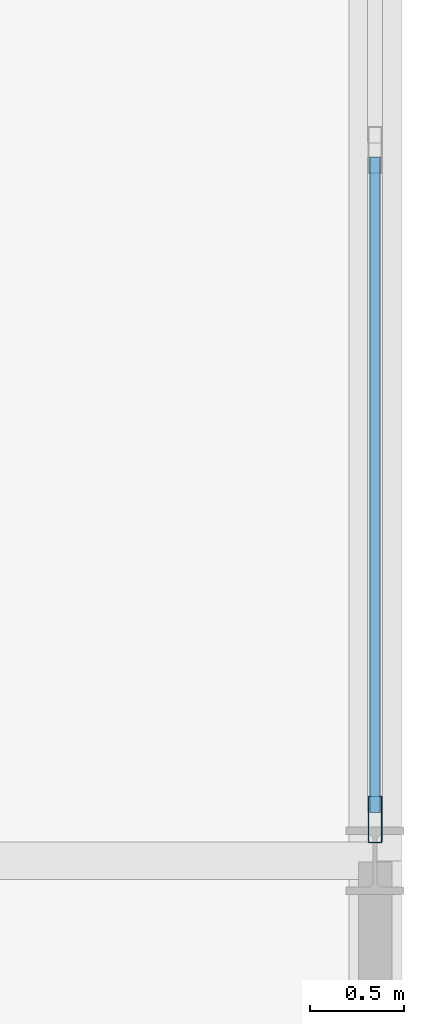
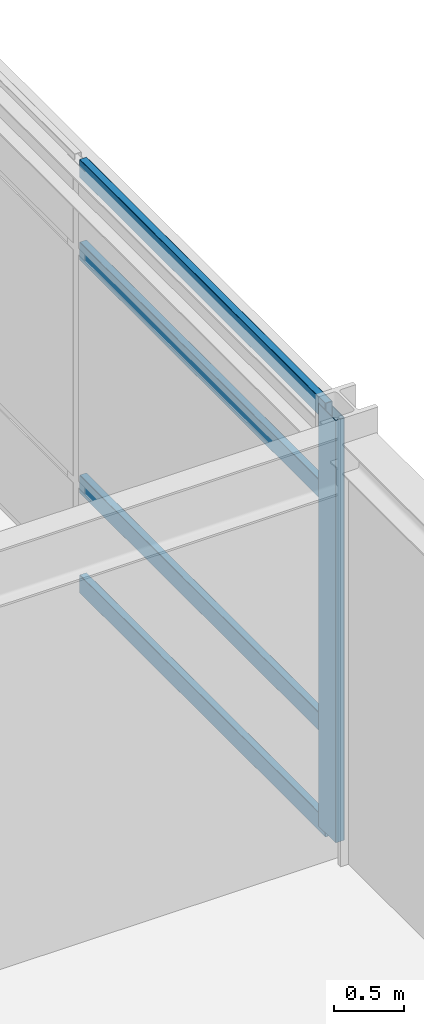
# One storey, part 7 of 16: 5 members, 1 element without a shape of its own.
"""IFC4 building model written with IfcOpenShell, lengths in metres."""

import ifcopenshell
import ifcopenshell.guid

model = None  # the IFC model being written
_history = None  # IfcOwnerHistory: only IFC2X3 demands one
_inside = {}  # id of a spatial element -> (the spatial element, [elements in it])
_under = {}  # id of a project, library or spatial element -> (it, [spatial elements below it])
_declared = {}  # id of a project -> (the project, [libraries it declares])
_typed = {}  # id of a type object -> (the type object, [elements of that type])
_made_of = {}  # id of a material, layer set ... -> (it, [elements and type objects made of it])


def new_model(schema):
    """Start an empty IFC model of exactly this schema.

    Asked for "IFC4X3", IfcOpenShell would pick the latest addendum, in which some entities
    have other attributes; the version numbers below select the first issue.
    IFC2X3 requires an IfcOwnerHistory on every rooted entity: one is made here for all.
    """
    global model, _history
    if schema == "IFC4X3":
        model = ifcopenshell.file(schema_version=(4, 3, 0, 0))
    else:
        model = ifcopenshell.file(schema=schema)
    _inside.clear()
    _under.clear()
    _declared.clear()
    _typed.clear()
    _made_of.clear()
    _history = None
    if model.schema == "IFC2X3":
        org = make("IfcOrganization", Name="unknown")
        user = make(
            "IfcPersonAndOrganization",
            ThePerson=make("IfcPerson", FamilyName="unknown"),
            TheOrganization=org,
        )
        app = make(
            "IfcApplication",
            ApplicationDeveloper=org,
            Version="unknown",
            ApplicationFullName="unknown",
            ApplicationIdentifier="unknown",
        )
        _history = make(
            "IfcOwnerHistory",
            OwningUser=user,
            OwningApplication=app,
            ChangeAction="ADDED",
            CreationDate=0,
        )
    return model


def make(cls, **values):
    """One entity of the class cls with the attributes given. An attribute that is None is left unset."""
    return model.create_entity(
        cls, **{name: value for name, value in values.items() if value is not None}
    )


def rooted(cls, **values):
    """An entity with a GlobalId (a new one), such as an element, a storey or a relation."""
    return make(cls, GlobalId=ifcopenshell.guid.new(), OwnerHistory=_history, **values)


def si_unit(unit_type, name, prefix=None):
    """IfcSIUnit, for example si_unit("LENGTHUNIT", "METRE", prefix="MILLI")."""
    return make("IfcSIUnit", UnitType=unit_type, Prefix=prefix, Name=name)


def assignment(units):
    """IfcUnitAssignment: the units of a project."""
    return None if units is None else make("IfcUnitAssignment", Units=units)


def point(xyz):
    """IfcCartesianPoint."""
    return None if xyz is None else make("IfcCartesianPoint", Coordinates=xyz)


def direction(xyz):
    """IfcDirection."""
    return None if xyz is None else make("IfcDirection", DirectionRatios=xyz)


def frame(location, z_axis=None, x_axis=None):
    """IfcAxis2Placement3D, a coordinate frame: its origin and axes. An axis left out is left unset."""
    return make(
        "IfcAxis2Placement3D",
        Location=point(location),
        Axis=direction(z_axis),
        RefDirection=direction(x_axis),
    )


def frame_2d(location, x_axis=None):
    """IfcAxis2Placement2D, a coordinate frame in the plane: its origin and x axis."""
    return make(
        "IfcAxis2Placement2D", Location=point(location), RefDirection=direction(x_axis)
    )


def origin():
    """The frame at (0, 0, 0) with its axes left unset."""
    return frame((0.0, 0.0, 0.0))


def origin_2d():
    """The frame at (0, 0) in the plane with its x axis left unset."""
    return frame_2d((0.0, 0.0))


def place(relative_to, where):
    """IfcLocalPlacement: puts the frame where relative to a parent placement (None: the world)."""
    return make(
        "IfcLocalPlacement", PlacementRelTo=relative_to, RelativePlacement=where
    )


def context(
    kind, dimensions, precision=None, world=None, true_north=None, identifier=None
):
    """IfcGeometricRepresentationContext, for example the 3D "Model" context."""
    return make(
        "IfcGeometricRepresentationContext",
        ContextIdentifier=identifier,
        ContextType=kind,
        CoordinateSpaceDimension=dimensions,
        Precision=precision,
        WorldCoordinateSystem=world,
        TrueNorth=true_north,
    )


def subcontext(parent, identifier, kind, view, scale=None):
    """IfcGeometricRepresentationSubContext, for example "Body" below "Model"."""
    return make(
        "IfcGeometricRepresentationSubContext",
        ContextIdentifier=identifier,
        ContextType=kind,
        ParentContext=parent,
        TargetScale=scale,
        TargetView=view,
    )


def project(units=None, contexts=None):
    """IfcProject with its units and contexts."""
    return rooted(
        "IfcProject",
        Name="project",
        RepresentationContexts=contexts,
        UnitsInContext=assignment(units),
    )


def spatial(cls, under=None, at=None, **own):
    """A site, building, storey or space (cls), placed at a placement, below another one or the project."""
    s = rooted(cls, ObjectPlacement=at, **own)
    if under is not None:
        _under.setdefault(under.id(), (under, []))[1].append(s)
    return s


def profile(cls, at=None, kind="AREA", **sizes):
    """A parametric profile (cls). Its sizes go by their IFC names, for example OverallWidth=200.0."""
    return make(cls, ProfileType=kind, Position=at, **sizes)


def hollow_rectangle(**sizes):
    """IfcRectangleHollowProfileDef."""
    return profile("IfcRectangleHollowProfileDef", **sizes)


def extrude(swept, where, along, depth):
    """IfcExtrudedAreaSolid: the profile swept, set in the frame where, extruded along a direction by depth."""
    return make(
        "IfcExtrudedAreaSolid",
        SweptArea=swept,
        Position=where,
        ExtrudedDirection=direction(along),
        Depth=depth,
    )


def shape(context_of_items, identifier, shape_type, items):
    """IfcShapeRepresentation: the items that make up one representation, for example the "Body"."""
    return make(
        "IfcShapeRepresentation",
        ContextOfItems=context_of_items,
        RepresentationIdentifier=identifier,
        RepresentationType=shape_type,
        Items=items,
    )


def material(Name=None, Category=None):
    """IfcMaterial."""
    return make("IfcMaterial", Name=Name, Category=Category)


def layer(
    of_material, thickness, ventilated=None, Name=None, Category=None, Priority=None
):
    """IfcMaterialLayer: one layer of a wall or slab, of a material (None: an air gap)."""
    return make(
        "IfcMaterialLayer",
        Material=of_material,
        LayerThickness=thickness,
        IsVentilated=ventilated,
        Name=Name,
        Category=Category,
        Priority=Priority,
    )


def layer_set(layers, Name=None):
    """IfcMaterialLayerSet."""
    return make("IfcMaterialLayerSet", MaterialLayers=layers, LayerSetName=Name)


def material_profile(
    of_material, cross_section, Name=None, Category=None, Priority=None
):
    """IfcMaterialProfile: a cross section and its material."""
    return make(
        "IfcMaterialProfile",
        Name=Name,
        Material=of_material,
        Profile=cross_section,
        Priority=Priority,
        Category=Category,
    )


def profile_set(profiles, Name=None, composite=None):
    """IfcMaterialProfileSet."""
    return make(
        "IfcMaterialProfileSet",
        Name=Name,
        MaterialProfiles=profiles,
        CompositeProfile=composite,
    )


def made_of(thing, what):
    """Note that an element or type object is made of a material, layer set ...; save() writes the relation."""
    if what is not None:
        _made_of.setdefault(what.id(), (what, []))[1].append(thing)
    return thing


def type_object(cls, material=None, **own):
    """A type object (cls), such as IfcWallType, which elements share."""
    return made_of(rooted(cls, **own), material)


def element(
    cls,
    number,
    at=None,
    inside=None,
    cuts=None,
    type_object=None,
    material=None,
    context=None,
    identifier="Body",
    shape_type=None,
    held_by="IfcProductDefinitionShape",
    body=None,
    shapes=None,
    **own,
):
    """One element of the class cls, such as IfcWall. Its Tag is "e" and its number.

    at: its placement. inside: the storey or other place that contains it. cuts: it is an
    opening in that element (IfcRelVoidsElement). A single representation is given by context,
    identifier, shape_type and body (its items); several are given by shapes. held_by: the class
    of the entity that holds the representations. save() writes the other relations.
    """
    e = rooted(cls, Tag="e%d" % number, ObjectPlacement=at, **own)
    if body is not None:
        shapes = [shape(context, identifier, shape_type, body)]
    if shapes is not None:
        e.Representation = make(held_by, Representations=shapes)
    if inside is not None:
        _inside.setdefault(inside.id(), (inside, []))[1].append(e)
    if cuts is not None:
        rooted(
            "IfcRelVoidsElement", RelatingBuildingElement=cuts, RelatedOpeningElement=e
        )
    if type_object is not None:
        _typed.setdefault(type_object.id(), (type_object, []))[1].append(e)
    return made_of(e, material)


def aggregate(whole, parts):
    """IfcRelAggregates: a whole, such as a stair, and the parts it consists of."""
    return rooted("IfcRelAggregates", RelatingObject=whole, RelatedObjects=parts)


def save(model, path):
    """Write the relations noted so far, then the file.

    IfcRelAggregates (storeys below a building ...), IfcRelContainedInSpatialStructure (elements
    in a storey), IfcRelDefinesByType, IfcRelAssociatesMaterial and IfcRelDeclares: one each for
    every whole, place, type object, material and project.
    """
    for whole, parts in _under.values():
        aggregate(whole, parts)
    for where, things in _inside.values():
        rooted(
            "IfcRelContainedInSpatialStructure",
            RelatedElements=things,
            RelatingStructure=where,
        )
    for kind, things in _typed.values():
        rooted("IfcRelDefinesByType", RelatedObjects=things, RelatingType=kind)
    for what, things in _made_of.values():
        rooted("IfcRelAssociatesMaterial", RelatedObjects=things, RelatingMaterial=what)
    for by, libraries in _declared.values():
        rooted("IfcRelDeclares", RelatingContext=by, RelatedDefinitions=libraries)
    model.write(path)


model = new_model("IFC4")

# Units and contexts
model_context = context("Model", 3, precision=1e-05, world=origin(), true_north=direction((0.0, 1.0)))
body_context = subcontext(model_context, "Body", "Model", "MODEL_VIEW")
ifc_project = project(units=[si_unit("LENGTHUNIT", "METRE"), si_unit("AREAUNIT", "SQUARE_METRE"), si_unit("VOLUMEUNIT", "CUBIC_METRE"), si_unit("PLANEANGLEUNIT", "RADIAN"), si_unit("MASSUNIT", "GRAM", prefix="KILO")], contexts=[model_context])

# Site, building, storey
site_placement = place(None, origin())
site = spatial("IfcSite", under=ifc_project, at=site_placement, CompositionType="ELEMENT")
building_placement = place(site_placement, origin())
building = spatial("IfcBuilding", under=site, at=building_placement, Name="Shalkamar Park Central Library", CompositionType="ELEMENT")
storey_placement = place(building_placement, frame((0.0, 0.0, 43.800048828125)))
storey = spatial("IfcBuildingStorey", under=building, at=storey_placement, Name="L11", CompositionType="ELEMENT", Elevation=43.800048828125)

# Curtain wall, members
ifc_material_1 = material(Name="Thermally broken aluminium and triple low-e curtain wall", Category="aluminium")
ifc_layer = layer(ifc_material_1, 0.25)
ifc_layer_set = layer_set([ifc_layer], Name="UnitisedCurtainWall_82")
curtain_wall_type = type_object("IfcCurtainWallType", Name="Unitised Curtain Wall 82", PredefinedType="USERDEFINED", material=ifc_layer_set)
curtain_wall_placement = place(storey_placement, origin())
curtain_wall = element("IfcCurtainWall", 1, at=curtain_wall_placement, inside=storey, type_object=curtain_wall_type, Name="Unitised Curtain Wall CW-L11-134", ObjectType="UNITISED CURTAIN WALL", PredefinedType="USERDEFINED")
ifc_material_2 = material(Name="Aluminium 6060-T66", Category="aluminium")
ifc_material_profile_1 = material_profile(ifc_material_2, hollow_rectangle(XDim=0.074951171875, YDim=0.25, WallThickness=0.00390625, InnerFilletRadius=0.00390625, OuterFilletRadius=0.006103515625, at=origin_2d()), Name="ALU 75x250x4")
ifc_profile_set_1 = profile_set([ifc_material_profile_1], Name="Aluminium 6060-T66")
member_type_1 = type_object("IfcMemberType", Name="Curtain Wall Mullion ALU75x250", PredefinedType="MULLION", material=ifc_profile_set_1)
member_1_placement = place(storey_placement, frame((221.0, 278.220947265625, 0.0), z_axis=(0.0, 0.0, 1.0), x_axis=(-1.0, 0.0, 0.0)))
member_1 = element("IfcMember", 2, at=member_1_placement, type_object=member_type_1, Name="CW-82 mullion 1", PredefinedType="MULLION", context=body_context, shape_type="SweptSolid", body=[
    extrude(hollow_rectangle(XDim=0.074951171875, YDim=0.25, WallThickness=0.00390625, InnerFilletRadius=0.00390625, OuterFilletRadius=0.006103515625, at=origin_2d()), origin(), (0.0, 0.0, 1.0), 3.679931640625),
])
ifc_material_profile_2 = material_profile(ifc_material_2, hollow_rectangle(XDim=0.06005859375, YDim=0.159912109375, WallThickness=0.00390625, InnerFilletRadius=0.00390625, OuterFilletRadius=0.006103515625, at=origin_2d()), Name="ALU 60x160x4")
ifc_profile_set_2 = profile_set([ifc_material_profile_2], Name="Aluminium 6060-T66")
member_type_2 = type_object("IfcMemberType", Name="Curtain Wall Transom ALU60x160", PredefinedType="USERDEFINED", material=ifc_profile_set_2)
member_2_placement = place(storey_placement, frame((221.0, 278.258544921875, 0.030029296875), z_axis=(0.0, 1.0, 0.0), x_axis=(-1.0, 0.0, 0.0)))
member_2 = element("IfcMember", 3, at=member_2_placement, type_object=member_type_2, Name="CW-82 transom 1.1", ObjectType="TRANSOM", PredefinedType="USERDEFINED", context=body_context, shape_type="SweptSolid", body=[
    extrude(hollow_rectangle(XDim=0.06005859375, YDim=0.159912109375, WallThickness=0.00390625, InnerFilletRadius=0.00390625, OuterFilletRadius=0.006103515625, at=origin_2d()), origin(), (0.0, 0.0, 1.0), 3.50390625),
])
member_3_placement = place(storey_placement, frame((221.0, 278.258544921875, 0.89990234375), z_axis=(0.0, 1.0, 0.0), x_axis=(-1.0, 0.0, 0.0)))
member_3 = element("IfcMember", 4, at=member_3_placement, type_object=member_type_2, Name="CW-82 transom 1.2", ObjectType="TRANSOM", PredefinedType="USERDEFINED", context=body_context, shape_type="SweptSolid", body=[
    extrude(hollow_rectangle(XDim=0.06005859375, YDim=0.159912109375, WallThickness=0.00390625, InnerFilletRadius=0.00390625, OuterFilletRadius=0.006103515625, at=origin_2d()), origin(), (0.0, 0.0, 1.0), 3.50390625),
])
member_4_placement = place(storey_placement, frame((221.0, 278.258544921875, 2.929931640625), z_axis=(0.0, 1.0, 0.0), x_axis=(-1.0, 0.0, 0.0)))
member_4 = element("IfcMember", 5, at=member_4_placement, type_object=member_type_2, Name="CW-82 transom 1.3", ObjectType="TRANSOM", PredefinedType="USERDEFINED", context=body_context, shape_type="SweptSolid", body=[
    extrude(hollow_rectangle(XDim=0.06005859375, YDim=0.159912109375, WallThickness=0.00390625, InnerFilletRadius=0.00390625, OuterFilletRadius=0.006103515625, at=origin_2d()), origin(), (0.0, 0.0, 1.0), 3.50390625),
])
member_5_placement = place(storey_placement, frame((221.0, 278.258544921875, 3.64990234375), z_axis=(0.0, 1.0, 0.0), x_axis=(-1.0, 0.0, 0.0)))
member_5 = element("IfcMember", 6, at=member_5_placement, type_object=member_type_2, Name="CW-82 transom 1.4", ObjectType="TRANSOM", PredefinedType="USERDEFINED", context=body_context, shape_type="SweptSolid", body=[
    extrude(hollow_rectangle(XDim=0.06005859375, YDim=0.159912109375, WallThickness=0.00390625, InnerFilletRadius=0.00390625, OuterFilletRadius=0.006103515625, at=origin_2d()), origin(), (0.0, 0.0, 1.0), 3.50390625),
])
aggregate(curtain_wall, [member_1, member_2, member_3, member_4, member_5])

save(model, "model.ifc")
